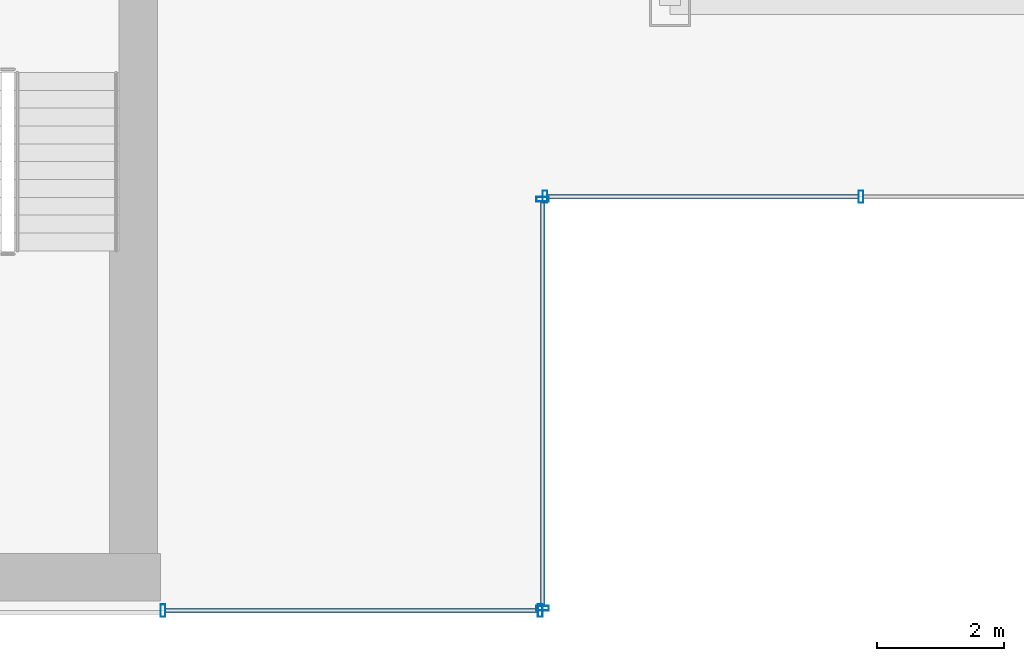
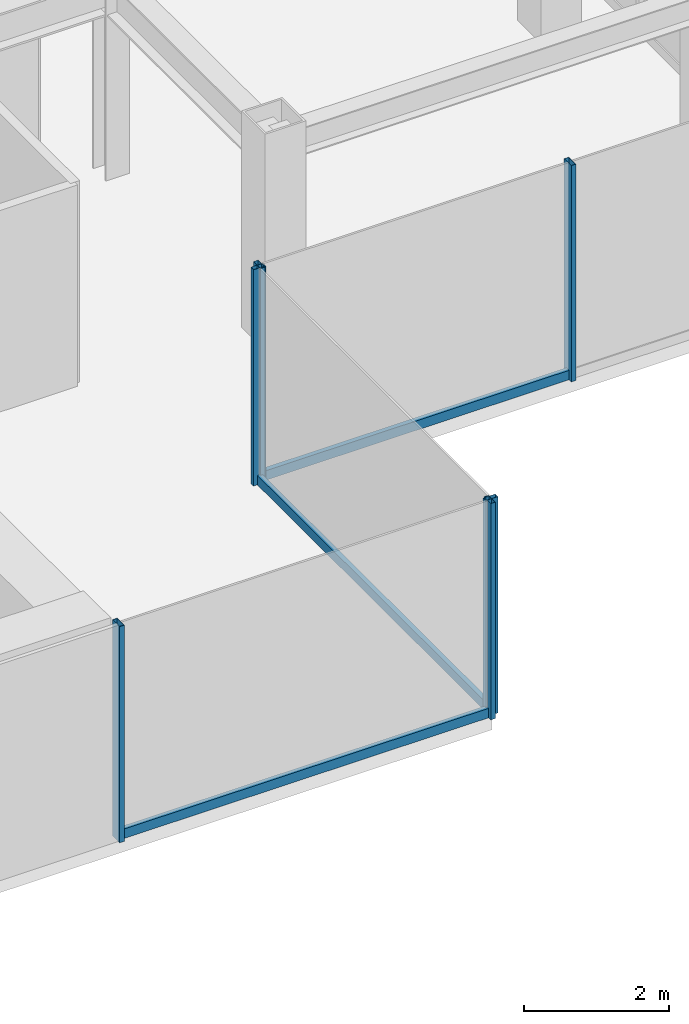
# One storey, part 9 of 25: 9 members, 3 elements without a shape of their own.
"""IFC4 building model written with IfcOpenShell, lengths in metres."""

import ifcopenshell
import ifcopenshell.guid

model = None  # the IFC model being written
_history = None  # IfcOwnerHistory: only IFC2X3 demands one
_inside = {}  # id of a spatial element -> (the spatial element, [elements in it])
_under = {}  # id of a project, library or spatial element -> (it, [spatial elements below it])
_declared = {}  # id of a project -> (the project, [libraries it declares])
_typed = {}  # id of a type object -> (the type object, [elements of that type])
_made_of = {}  # id of a material, layer set ... -> (it, [elements and type objects made of it])


def new_model(schema):
    """Start an empty IFC model of exactly this schema.

    Asked for "IFC4X3", IfcOpenShell would pick the latest addendum, in which some entities
    have other attributes; the version numbers below select the first issue.
    IFC2X3 requires an IfcOwnerHistory on every rooted entity: one is made here for all.
    """
    global model, _history
    if schema == "IFC4X3":
        model = ifcopenshell.file(schema_version=(4, 3, 0, 0))
    else:
        model = ifcopenshell.file(schema=schema)
    _inside.clear()
    _under.clear()
    _declared.clear()
    _typed.clear()
    _made_of.clear()
    _history = None
    if model.schema == "IFC2X3":
        org = make("IfcOrganization", Name="unknown")
        user = make(
            "IfcPersonAndOrganization",
            ThePerson=make("IfcPerson", FamilyName="unknown"),
            TheOrganization=org,
        )
        app = make(
            "IfcApplication",
            ApplicationDeveloper=org,
            Version="unknown",
            ApplicationFullName="unknown",
            ApplicationIdentifier="unknown",
        )
        _history = make(
            "IfcOwnerHistory",
            OwningUser=user,
            OwningApplication=app,
            ChangeAction="ADDED",
            CreationDate=0,
        )
    return model


def make(cls, **values):
    """One entity of the class cls with the attributes given. An attribute that is None is left unset."""
    return model.create_entity(
        cls, **{name: value for name, value in values.items() if value is not None}
    )


def rooted(cls, **values):
    """An entity with a GlobalId (a new one), such as an element, a storey or a relation."""
    return make(cls, GlobalId=ifcopenshell.guid.new(), OwnerHistory=_history, **values)


def si_unit(unit_type, name, prefix=None):
    """IfcSIUnit, for example si_unit("LENGTHUNIT", "METRE", prefix="MILLI")."""
    return make("IfcSIUnit", UnitType=unit_type, Prefix=prefix, Name=name)


def derived_unit(unit_type, elements):
    """IfcDerivedUnit: a product of units, each with its exponent."""
    return make(
        "IfcDerivedUnit",
        Elements=[
            make("IfcDerivedUnitElement", Unit=unit, Exponent=power)
            for unit, power in elements
        ],
        UnitType=unit_type,
    )


def assignment(units):
    """IfcUnitAssignment: the units of a project."""
    return None if units is None else make("IfcUnitAssignment", Units=units)


def point(xyz):
    """IfcCartesianPoint."""
    return None if xyz is None else make("IfcCartesianPoint", Coordinates=xyz)


def direction(xyz):
    """IfcDirection."""
    return None if xyz is None else make("IfcDirection", DirectionRatios=xyz)


def frame(location, z_axis=None, x_axis=None):
    """IfcAxis2Placement3D, a coordinate frame: its origin and axes. An axis left out is left unset."""
    return make(
        "IfcAxis2Placement3D",
        Location=point(location),
        Axis=direction(z_axis),
        RefDirection=direction(x_axis),
    )


def frame_2d(location, x_axis=None):
    """IfcAxis2Placement2D, a coordinate frame in the plane: its origin and x axis."""
    return make(
        "IfcAxis2Placement2D", Location=point(location), RefDirection=direction(x_axis)
    )


def origin():
    """The frame at (0, 0, 0) with its axes left unset."""
    return frame((0.0, 0.0, 0.0))


def origin_2d():
    """The frame at (0, 0) in the plane with its x axis left unset."""
    return frame_2d((0.0, 0.0))


def place(relative_to, where):
    """IfcLocalPlacement: puts the frame where relative to a parent placement (None: the world)."""
    return make(
        "IfcLocalPlacement", PlacementRelTo=relative_to, RelativePlacement=where
    )


def context(
    kind, dimensions, precision=None, world=None, true_north=None, identifier=None
):
    """IfcGeometricRepresentationContext, for example the 3D "Model" context."""
    return make(
        "IfcGeometricRepresentationContext",
        ContextIdentifier=identifier,
        ContextType=kind,
        CoordinateSpaceDimension=dimensions,
        Precision=precision,
        WorldCoordinateSystem=world,
        TrueNorth=true_north,
    )


def subcontext(parent, identifier, kind, view, scale=None):
    """IfcGeometricRepresentationSubContext, for example "Body" below "Model"."""
    return make(
        "IfcGeometricRepresentationSubContext",
        ContextIdentifier=identifier,
        ContextType=kind,
        ParentContext=parent,
        TargetScale=scale,
        TargetView=view,
    )


def project(units=None, contexts=None):
    """IfcProject with its units and contexts."""
    return rooted(
        "IfcProject",
        Name="project",
        RepresentationContexts=contexts,
        UnitsInContext=assignment(units),
    )


def spatial(cls, under=None, at=None, **own):
    """A site, building, storey or space (cls), placed at a placement, below another one or the project."""
    s = rooted(cls, ObjectPlacement=at, **own)
    if under is not None:
        _under.setdefault(under.id(), (under, []))[1].append(s)
    return s


def profile(cls, at=None, kind="AREA", **sizes):
    """A parametric profile (cls). Its sizes go by their IFC names, for example OverallWidth=200.0."""
    return make(cls, ProfileType=kind, Position=at, **sizes)


def hollow_rectangle(**sizes):
    """IfcRectangleHollowProfileDef."""
    return profile("IfcRectangleHollowProfileDef", **sizes)


def extrude(swept, where, along, depth):
    """IfcExtrudedAreaSolid: the profile swept, set in the frame where, extruded along a direction by depth."""
    return make(
        "IfcExtrudedAreaSolid",
        SweptArea=swept,
        Position=where,
        ExtrudedDirection=direction(along),
        Depth=depth,
    )


def shape(context_of_items, identifier, shape_type, items):
    """IfcShapeRepresentation: the items that make up one representation, for example the "Body"."""
    return make(
        "IfcShapeRepresentation",
        ContextOfItems=context_of_items,
        RepresentationIdentifier=identifier,
        RepresentationType=shape_type,
        Items=items,
    )


def source(mapping_origin, context_of_items, identifier, shape_type, items):
    """IfcRepresentationMap: a shape defined once, which mapped items show again and again."""
    return make(
        "IfcRepresentationMap",
        MappingOrigin=mapping_origin,
        MappedRepresentation=shape(context_of_items, identifier, shape_type, items),
    )


def transform(
    local_origin,
    x_axis=None,
    y_axis=None,
    z_axis=None,
    scale=None,
    scale2=None,
    scale3=None,
    uniform=True,
):
    """IfcCartesianTransformationOperator3D, or its non-uniform kind. x_axis, y_axis, z_axis: its Axis1, 2, 3."""
    if uniform:
        return make(
            "IfcCartesianTransformationOperator3D",
            Axis1=direction(x_axis),
            Axis2=direction(y_axis),
            LocalOrigin=point(local_origin),
            Scale=scale,
            Axis3=direction(z_axis),
        )
    return make(
        "IfcCartesianTransformationOperator3DnonUniform",
        Axis1=direction(x_axis),
        Axis2=direction(y_axis),
        LocalOrigin=point(local_origin),
        Scale=scale,
        Axis3=direction(z_axis),
        Scale2=scale2,
        Scale3=scale3,
    )


def mapped(mapping_source, mapping_target):
    """IfcMappedItem: shows the shape of a source again, moved by a transform."""
    return make(
        "IfcMappedItem", MappingSource=mapping_source, MappingTarget=mapping_target
    )


def material(Name=None, Category=None):
    """IfcMaterial."""
    return make("IfcMaterial", Name=Name, Category=Category)


def material_profile(
    of_material, cross_section, Name=None, Category=None, Priority=None
):
    """IfcMaterialProfile: a cross section and its material."""
    return make(
        "IfcMaterialProfile",
        Name=Name,
        Material=of_material,
        Profile=cross_section,
        Priority=Priority,
        Category=Category,
    )


def profile_set(profiles, Name=None, composite=None):
    """IfcMaterialProfileSet."""
    return make(
        "IfcMaterialProfileSet",
        Name=Name,
        MaterialProfiles=profiles,
        CompositeProfile=composite,
    )


def made_of(thing, what):
    """Note that an element or type object is made of a material, layer set ...; save() writes the relation."""
    if what is not None:
        _made_of.setdefault(what.id(), (what, []))[1].append(thing)
    return thing


def type_object(cls, material=None, **own):
    """A type object (cls), such as IfcWallType, which elements share."""
    return made_of(rooted(cls, **own), material)


def element(
    cls,
    number,
    at=None,
    inside=None,
    cuts=None,
    type_object=None,
    material=None,
    context=None,
    identifier="Body",
    shape_type=None,
    held_by="IfcProductDefinitionShape",
    body=None,
    shapes=None,
    **own,
):
    """One element of the class cls, such as IfcWall. Its Tag is "e" and its number.

    at: its placement. inside: the storey or other place that contains it. cuts: it is an
    opening in that element (IfcRelVoidsElement). A single representation is given by context,
    identifier, shape_type and body (its items); several are given by shapes. held_by: the class
    of the entity that holds the representations. save() writes the other relations.
    """
    e = rooted(cls, Tag="e%d" % number, ObjectPlacement=at, **own)
    if body is not None:
        shapes = [shape(context, identifier, shape_type, body)]
    if shapes is not None:
        e.Representation = make(held_by, Representations=shapes)
    if inside is not None:
        _inside.setdefault(inside.id(), (inside, []))[1].append(e)
    if cuts is not None:
        rooted(
            "IfcRelVoidsElement", RelatingBuildingElement=cuts, RelatedOpeningElement=e
        )
    if type_object is not None:
        _typed.setdefault(type_object.id(), (type_object, []))[1].append(e)
    return made_of(e, material)


def aggregate(whole, parts):
    """IfcRelAggregates: a whole, such as a stair, and the parts it consists of."""
    return rooted("IfcRelAggregates", RelatingObject=whole, RelatedObjects=parts)


def save(model, path):
    """Write the relations noted so far, then the file.

    IfcRelAggregates (storeys below a building ...), IfcRelContainedInSpatialStructure (elements
    in a storey), IfcRelDefinesByType, IfcRelAssociatesMaterial and IfcRelDeclares: one each for
    every whole, place, type object, material and project.
    """
    for whole, parts in _under.values():
        aggregate(whole, parts)
    for where, things in _inside.values():
        rooted(
            "IfcRelContainedInSpatialStructure",
            RelatedElements=things,
            RelatingStructure=where,
        )
    for kind, things in _typed.values():
        rooted("IfcRelDefinesByType", RelatedObjects=things, RelatingType=kind)
    for what, things in _made_of.values():
        rooted("IfcRelAssociatesMaterial", RelatedObjects=things, RelatingMaterial=what)
    for by, libraries in _declared.values():
        rooted("IfcRelDeclares", RelatingContext=by, RelatedDefinitions=libraries)
    model.write(path)


model = new_model("IFC4")

# Units and contexts
model_context = context("Model", 3, precision=1e-05, world=origin(), true_north=direction((0.0, 1.0)))
body_context = subcontext(model_context, "Body", "Model", "MODEL_VIEW")
ifc_project = project(units=[si_unit("LENGTHUNIT", "METRE"), si_unit("AREAUNIT", "SQUARE_METRE"), si_unit("VOLUMEUNIT", "CUBIC_METRE"), si_unit("PLANEANGLEUNIT", "RADIAN"), si_unit("MASSUNIT", "GRAM", prefix="KILO"), derived_unit("THERMALTRANSMITTANCEUNIT", [(si_unit("POWERUNIT", "WATT"), 1), (si_unit("LENGTHUNIT", "METRE"), -2), (si_unit("THERMODYNAMICTEMPERATUREUNIT", "KELVIN"), -1)])], contexts=[model_context])

# Site, building, storey
site_placement = place(None, origin())
site = spatial("IfcSite", under=ifc_project, at=site_placement, CompositionType="ELEMENT")
building_placement = place(site_placement, origin())
building = spatial("IfcBuilding", under=site, at=building_placement, Name="Skarnbrae Concourse Arena and Tower", CompositionType="ELEMENT")
storey_placement = place(building_placement, frame((0.0, 0.0, 166.14990234375)))
storey = spatial("IfcBuildingStorey", under=building, at=storey_placement, Name="L42", CompositionType="ELEMENT", Elevation=166.14990234375)

# Curtain wall, members
ifc_material = material(Name="Bronze anodised aluminium 6063-T6", Category="aluminium")
curtain_wall_type = type_object("IfcCurtainWallType", Name="CW-SYS-04-MIDZONE", PredefinedType="USERDEFINED", material=ifc_material)
curtain_wall_1_placement = place(storey_placement, origin())
curtain_wall_1 = element("IfcCurtainWall", 1, at=curtain_wall_1_placement, inside=storey, type_object=curtain_wall_type, Name="L42 Unitised curtain wall CW-L42-SE-SPINE", ObjectType="UNITISED CURTAIN WALL", PredefinedType="USERDEFINED")
ifc_material_profile_1 = material_profile(ifc_material, hollow_rectangle(XDim=0.074951171875, YDim=0.195068359375, WallThickness=0.00439453125, at=origin_2d()), Name="ALU-MULL-75X195")
ifc_profile_set_1 = profile_set([ifc_material_profile_1], Name="Bronze anodised aluminium 6063-T6")
member_type_1 = type_object("IfcMemberType", Name="CWM-CW-04", PredefinedType="MULLION", material=ifc_profile_set_1)
shared_shape_1 = source(origin(), body_context, "Body", "SweptSolid", [
    extrude(hollow_rectangle(XDim=0.074951171875, YDim=0.195068359375, WallThickness=0.00439453125, at=origin_2d()), origin(), (0.0, 0.0, 1.0), 3.650146484375),
])
member_1_placement = place(storey_placement, frame((34.03759765625, 0.0, 0.0), z_axis=(0.0, 0.0, 1.0), x_axis=(1.0, 0.0, 0.0)))
member_1 = element("IfcMember", 2, at=member_1_placement, type_object=member_type_1, Name="CW-L42-SE-SPINE Mullion 1", PredefinedType="MULLION", context=body_context, shape_type="MappedRepresentation", body=[
    mapped(shared_shape_1, transform((0.0, 0.0, 0.0))),
])
member_2_placement = place(storey_placement, frame((39.96240234375, 0.0, 0.0), z_axis=(0.0, 0.0, 1.0), x_axis=(1.0, 0.0, 0.0)))
member_2 = element("IfcMember", 3, at=member_2_placement, type_object=member_type_1, Name="CW-L42-SE-SPINE Mullion 2", PredefinedType="MULLION", context=body_context, shape_type="MappedRepresentation", body=[
    mapped(shared_shape_1, transform((0.0, 0.0, 0.0))),
])

curtain_wall_2_placement = place(storey_placement, origin())
curtain_wall_2 = element("IfcCurtainWall", 4, at=curtain_wall_2_placement, inside=storey, type_object=curtain_wall_type, Name="L42 Unitised curtain wall CW-L42-E02", ObjectType="UNITISED CURTAIN WALL", PredefinedType="USERDEFINED")
member_3_placement = place(storey_placement, frame((40.0, 0.03759765625, 0.0), z_axis=(0.0, 0.0, 1.0), x_axis=(0.0, 1.0, 0.0)))
member_3 = element("IfcMember", 5, at=member_3_placement, type_object=member_type_1, Name="CW-L42-E02 Mullion 1", PredefinedType="MULLION", context=body_context, shape_type="MappedRepresentation", body=[
    mapped(shared_shape_1, transform((0.0, 0.0, 0.0))),
])
member_4_placement = place(storey_placement, frame((40.0, 6.46240234375, 0.0), z_axis=(0.0, 0.0, 1.0), x_axis=(0.0, 1.0, 0.0)))
member_4 = element("IfcMember", 6, at=member_4_placement, type_object=member_type_1, Name="CW-L42-E02 Mullion 2", PredefinedType="MULLION", context=body_context, shape_type="MappedRepresentation", body=[
    mapped(shared_shape_1, transform((0.0, 0.0, 0.0))),
])

curtain_wall_3_placement = place(storey_placement, origin())
curtain_wall_3 = element("IfcCurtainWall", 7, at=curtain_wall_3_placement, inside=storey, type_object=curtain_wall_type, Name="L42 Unitised curtain wall CW-L42-E03", ObjectType="UNITISED CURTAIN WALL", PredefinedType="USERDEFINED")
member_5_placement = place(storey_placement, frame((40.03759765625, 6.5, 0.0), z_axis=(0.0, 0.0, 1.0), x_axis=(1.0, 0.0, 0.0)))
member_5 = element("IfcMember", 8, at=member_5_placement, type_object=member_type_1, Name="CW-L42-E03 Mullion 1", PredefinedType="MULLION", context=body_context, shape_type="MappedRepresentation", body=[
    mapped(shared_shape_1, transform((0.0, 0.0, 0.0))),
])
member_6_placement = place(storey_placement, frame((45.0, 6.5, 0.0), z_axis=(0.0, 0.0, 1.0), x_axis=(1.0, 0.0, 0.0)))
member_6 = element("IfcMember", 9, at=member_6_placement, type_object=member_type_1, Name="CW-L42-E03 Mullion 2", PredefinedType="MULLION", context=body_context, shape_type="MappedRepresentation", body=[
    mapped(shared_shape_1, transform((0.0, 0.0, 0.0))),
])
ifc_material_profile_2 = material_profile(ifc_material, hollow_rectangle(XDim=0.074951171875, YDim=0.159912109375, WallThickness=0.00439453125, at=origin_2d()), Name="ALU-TRAN-75X160")
ifc_profile_set_2 = profile_set([ifc_material_profile_2], Name="Bronze anodised aluminium 6063-T6")
member_type_2 = type_object("IfcMemberType", Name="CWT-CW-04", PredefinedType="USERDEFINED", material=ifc_profile_set_2)
shared_shape_2 = source(origin(), body_context, "Body", "SweptSolid", [
    extrude(hollow_rectangle(XDim=0.074951171875, YDim=0.159912109375, WallThickness=0.00439453125, at=origin_2d()), origin(), (0.0, 0.0, 1.0), 4.887451171875),
])
member_7_placement = place(storey_placement, frame((40.074951171875, 6.5, 0.080078125), z_axis=(1.0, 0.0, 0.0), x_axis=(0.0, 1.0, 0.0)))
member_7 = element("IfcMember", 10, at=member_7_placement, type_object=member_type_2, Name="CW-L42-E03 Transom 1", ObjectType="TRANSOM", PredefinedType="USERDEFINED", context=body_context, shape_type="MappedRepresentation", body=[
    mapped(shared_shape_2, transform((0.0, 0.0, 0.0))),
])
aggregate(curtain_wall_3, [member_5, member_6, member_7])

# Member
shared_shape_3 = source(origin(), body_context, "Body", "SweptSolid", [
    extrude(hollow_rectangle(XDim=0.074951171875, YDim=0.159912109375, WallThickness=0.00439453125, at=origin_2d()), origin(), (0.0, 0.0, 1.0), 5.85009765625),
])
member_8_placement = place(storey_placement, frame((34.074951171875, 0.0, 0.080078125), z_axis=(1.0, 0.0, 0.0), x_axis=(0.0, 1.0, 0.0)))
member_8 = element("IfcMember", 11, at=member_8_placement, type_object=member_type_2, Name="CW-L42-SE-SPINE Transom 1", ObjectType="TRANSOM", PredefinedType="USERDEFINED", context=body_context, shape_type="MappedRepresentation", body=[
    mapped(shared_shape_3, transform((0.0, 0.0, 0.0))),
])

aggregate(curtain_wall_1, [member_1, member_2, member_8])

shared_shape_4 = source(origin(), body_context, "Body", "SweptSolid", [
    extrude(hollow_rectangle(XDim=0.074951171875, YDim=0.159912109375, WallThickness=0.00439453125, at=origin_2d()), origin(), (0.0, 0.0, 1.0), 6.35009765625),
])
member_9_placement = place(storey_placement, frame((40.0, 0.074951171875, 0.080078125), z_axis=(0.0, 1.0, 0.0), x_axis=(-1.0, 0.0, 0.0)))
member_9 = element("IfcMember", 12, at=member_9_placement, type_object=member_type_2, Name="CW-L42-E02 Transom 1", ObjectType="TRANSOM", PredefinedType="USERDEFINED", context=body_context, shape_type="MappedRepresentation", body=[
    mapped(shared_shape_4, transform((0.0, 0.0, 0.0))),
])

aggregate(curtain_wall_2, [member_3, member_4, member_9])

save(model, "model.ifc")
